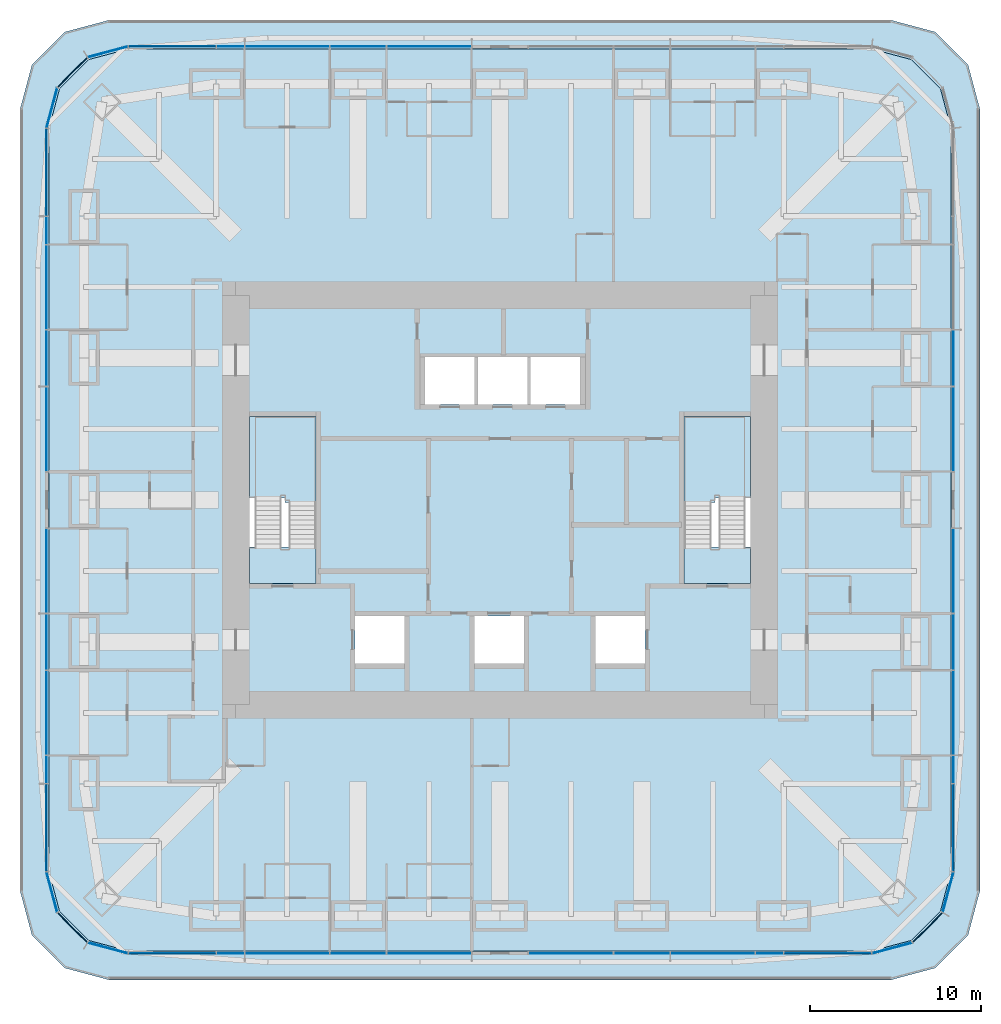
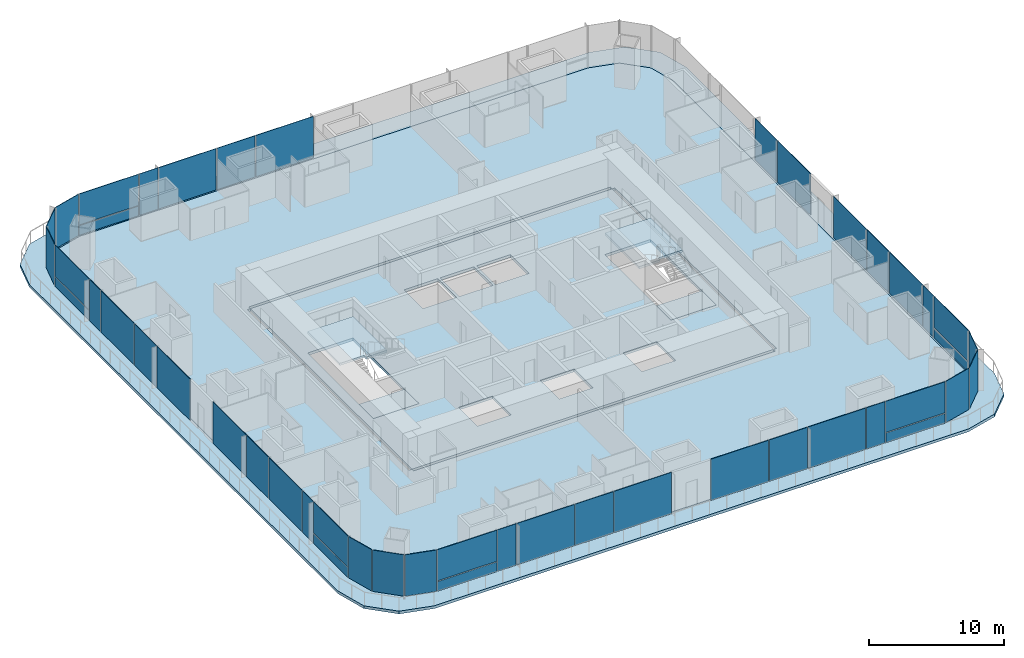
# One storey, part 7 of 15: 47 plates, 7 slabs, 9 elements without a shape of their own.
"""IFC4 building model written with IfcOpenShell, lengths in metres."""

from ifc_helpers import new_model, si_unit, direction, frame, origin, origin_2d, place, context, subcontext, project, spatial, polyline, rectangle, outline, extrude, material, layer, layer_set, type_object, element, aggregate, save


model = new_model("IFC4")

# Units and contexts
model_context = context("Model", 3, precision=1e-05, world=origin(), true_north=direction((0.0, 1.0)))
body_context = subcontext(model_context, "Body", "Model", "MODEL_VIEW")
ifc_project = project(units=[si_unit("LENGTHUNIT", "METRE"), si_unit("AREAUNIT", "SQUARE_METRE"), si_unit("VOLUMEUNIT", "CUBIC_METRE"), si_unit("PLANEANGLEUNIT", "RADIAN"), si_unit("MASSUNIT", "GRAM", prefix="KILO")], contexts=[model_context])

# Site, building, storey
site_placement = place(None, origin())
site = spatial("IfcSite", under=ifc_project, at=site_placement, CompositionType="ELEMENT")
building_placement = place(site_placement, origin())
building = spatial("IfcBuilding", under=site, at=building_placement, Name="Khuree Lantern Residences", CompositionType="ELEMENT")
storey_placement = place(building_placement, frame((0.0, 0.0, 199.5)))
storey = spatial("IfcBuildingStorey", under=building, at=storey_placement, Name="L49", CompositionType="ELEMENT", Elevation=199.5)

# Slab
ifc_material_1 = material(Name="Concrete C35/45", Category="concrete")
ifc_layer_1 = layer(ifc_material_1, 0.25)
ifc_layer_set_1 = layer_set([ifc_layer_1], Name="CFL250 CORE FLOOR SLAB 250")
slab_type_1 = type_object("IfcSlabType", Name="CFL250 CORE FLOOR SLAB 250", PredefinedType="FLOOR", material=ifc_layer_set_1)
slab_1_placement = place(storey_placement, frame((0.0, 0.0, -0.25)))
element("IfcSlab", 1, at=slab_1_placement, inside=storey, type_object=slab_type_1, Name="Core floor L49", PredefinedType="FLOOR", context=body_context, shape_type="SweptSolid", body=[
    extrude(outline(polyline([(-15.5, -12.0), (-15.5, 12.0), (15.5, 12.0), (15.5, -12.0), (-15.5, -12.0)]), holes=[polyline([(10.800048828125, 4.89990234375), (10.800048828125, -4.89990234375), (14.699951171875, -4.89990234375), (14.699951171875, 4.89990234375), (10.800048828125, 4.89990234375)]), polyline([(5.60009765625, -6.800048828125), (5.60009765625, -9.60009765625), (8.5, -9.60009765625), (8.5, -6.800048828125), (5.60009765625, -6.800048828125)]), polyline([(1.800048828125, 8.39990234375), (1.800048828125, 5.60009765625), (4.699951171875, 5.60009765625), (4.699951171875, 8.39990234375), (1.800048828125, 8.39990234375)]), polyline([(-1.300048828125, 8.39990234375), (-1.300048828125, 5.60009765625), (1.60009765625, 5.60009765625), (1.60009765625, 8.39990234375), (-1.300048828125, 8.39990234375)]), polyline([(-1.5, -6.800048828125), (-1.5, -9.60009765625), (1.39990234375, -9.60009765625), (1.39990234375, -6.800048828125), (-1.5, -6.800048828125)]), polyline([(-4.39990234375, 8.39990234375), (-4.39990234375, 5.60009765625), (-1.5, 5.60009765625), (-1.5, 8.39990234375), (-4.39990234375, 8.39990234375)]), polyline([(-8.5, -6.800048828125), (-8.5, -9.60009765625), (-5.60009765625, -9.60009765625), (-5.60009765625, -6.800048828125), (-8.5, -6.800048828125)]), polyline([(-14.699951171875, 4.89990234375), (-14.699951171875, -4.89990234375), (-10.800048828125, -4.89990234375), (-10.800048828125, 4.89990234375), (-14.699951171875, 4.89990234375)])]), origin(), (0.0, 0.0, 1.0), 0.25),
])

# Curtain wall, plates
ifc_material_2 = material(Name="Bronze anodised aluminium", Category="aluminium")
curtain_wall_type_1 = type_object("IfcCurtainWallType", Name="CW-T2 TOWER CORNER CURTAIN WALL", PredefinedType="USERDEFINED", material=ifc_material_2)
curtain_wall_1_placement = place(storey_placement, origin())
curtain_wall_1 = element("IfcCurtainWall", 2, at=curtain_wall_1_placement, inside=storey, type_object=curtain_wall_type_1, Name="L49 SOUTH-EAST CORNER CURTAIN WALL", ObjectType="Faceted corner curtain wall", PredefinedType="USERDEFINED")
ifc_material_3 = material(Name="Bronze tinted triple glazing", Category="glass")
ifc_layer_2 = layer(ifc_material_3, 0.048095703125)
ifc_layer_set_2 = layer_set([ifc_layer_2], Name="FACET PANEL P4")
plate_type_1 = type_object("IfcPlateType", Name="FACET PANEL P4", PredefinedType="CURTAIN_PANEL", material=ifc_layer_set_2)
plate_1_placement = place(storey_placement, frame((22.998046875, -26.279052734375, 0.0), z_axis=(0.0, 0.0, 1.0), x_axis=(0.965925832509, 0.258819021888, 0.0)))
plate_1 = element("IfcPlate", 3, at=plate_1_placement, type_object=plate_type_1, Name="L49 SOUTH-EAST CORNER PANEL 1.1", PredefinedType="CURTAIN_PANEL", context=body_context, shape_type="SweptSolid", body=[
    extrude(rectangle(XDim=2.40869140625, YDim=0.048095703125, at=origin_2d()), origin(), (0.0, 0.0, 1.0), 3.75),
])
plate_2_placement = place(storey_placement, frame((25.078369140625, -25.078369140625, 0.0), z_axis=(0.0, 0.0, 1.0), x_axis=(0.707106781187, 0.707106781187, 0.0)))
plate_2 = element("IfcPlate", 4, at=plate_2_placement, type_object=plate_type_1, Name="L49 SOUTH-EAST CORNER PANEL 2.1", PredefinedType="CURTAIN_PANEL", context=body_context, shape_type="SweptSolid", body=[
    extrude(rectangle(XDim=2.404541015625, YDim=0.048095703125, at=origin_2d()), origin(), (0.0, 0.0, 1.0), 3.75),
])
plate_3_placement = place(storey_placement, frame((26.279052734375, -22.998046875, 0.0), z_axis=(0.0, 0.0, 1.0), x_axis=(0.258819021888, 0.965925832509, 0.0)))
plate_3 = element("IfcPlate", 5, at=plate_3_placement, type_object=plate_type_1, Name="L49 SOUTH-EAST CORNER PANEL 3.1", PredefinedType="CURTAIN_PANEL", context=body_context, shape_type="SweptSolid", body=[
    extrude(rectangle(XDim=2.40869140625, YDim=0.048095703125, at=origin_2d()), origin(), (0.0, 0.0, 1.0), 3.75),
])
aggregate(curtain_wall_1, [plate_1, plate_2, plate_3])

curtain_wall_2_placement = place(storey_placement, origin())
curtain_wall_2 = element("IfcCurtainWall", 6, at=curtain_wall_2_placement, inside=storey, type_object=curtain_wall_type_1, Name="L49 NORTH-WEST CORNER CURTAIN WALL", ObjectType="Faceted corner curtain wall", PredefinedType="USERDEFINED")
plate_4_placement = place(storey_placement, frame((-22.998046875, 26.279052734375, 0.0), z_axis=(0.0, 0.0, 1.0), x_axis=(-0.965925832509, -0.258819021888, 0.0)))
plate_4 = element("IfcPlate", 7, at=plate_4_placement, type_object=plate_type_1, Name="L49 NORTH-WEST CORNER PANEL 29.1", PredefinedType="CURTAIN_PANEL", context=body_context, shape_type="SweptSolid", body=[
    extrude(rectangle(XDim=2.40869140625, YDim=0.048095703125, at=origin_2d()), origin(), (0.0, 0.0, 1.0), 3.75),
])
plate_5_placement = place(storey_placement, frame((-25.078369140625, 25.078369140625, 0.0), z_axis=(0.0, 0.0, 1.0), x_axis=(-0.707106781187, -0.707106781187, 0.0)))
plate_5 = element("IfcPlate", 8, at=plate_5_placement, type_object=plate_type_1, Name="L49 NORTH-WEST CORNER PANEL 30.1", PredefinedType="CURTAIN_PANEL", context=body_context, shape_type="SweptSolid", body=[
    extrude(rectangle(XDim=2.404541015625, YDim=0.048095703125, at=origin_2d()), origin(), (0.0, 0.0, 1.0), 3.75),
])
plate_6_placement = place(storey_placement, frame((-26.279052734375, 22.998046875, 0.0), z_axis=(0.0, 0.0, 1.0), x_axis=(-0.258819021888, -0.965925832509, 0.0)))
plate_6 = element("IfcPlate", 9, at=plate_6_placement, type_object=plate_type_1, Name="L49 NORTH-WEST CORNER PANEL 31.1", PredefinedType="CURTAIN_PANEL", context=body_context, shape_type="SweptSolid", body=[
    extrude(rectangle(XDim=2.40869140625, YDim=0.048095703125, at=origin_2d()), origin(), (0.0, 0.0, 1.0), 3.75),
])
aggregate(curtain_wall_2, [plate_4, plate_5, plate_6])

curtain_wall_3_placement = place(storey_placement, origin())
curtain_wall_3 = element("IfcCurtainWall", 10, at=curtain_wall_3_placement, inside=storey, type_object=curtain_wall_type_1, Name="L49 SOUTH-WEST CORNER CURTAIN WALL", ObjectType="Faceted corner curtain wall", PredefinedType="USERDEFINED")
plate_7_placement = place(storey_placement, frame((-26.279052734375, -22.998046875, 0.0), z_axis=(0.0, 0.0, 1.0), x_axis=(0.258819021888, -0.965925832509, 0.0)))
plate_7 = element("IfcPlate", 11, at=plate_7_placement, type_object=plate_type_1, Name="L49 SOUTH-WEST CORNER PANEL 43.1", PredefinedType="CURTAIN_PANEL", context=body_context, shape_type="SweptSolid", body=[
    extrude(rectangle(XDim=2.40869140625, YDim=0.048095703125, at=origin_2d()), origin(), (0.0, 0.0, 1.0), 3.75),
])
plate_8_placement = place(storey_placement, frame((-25.078369140625, -25.078369140625, 0.0), z_axis=(0.0, 0.0, 1.0), x_axis=(0.707106781187, -0.707106781187, 0.0)))
plate_8 = element("IfcPlate", 12, at=plate_8_placement, type_object=plate_type_1, Name="L49 SOUTH-WEST CORNER PANEL 44.1", PredefinedType="CURTAIN_PANEL", context=body_context, shape_type="SweptSolid", body=[
    extrude(rectangle(XDim=2.404541015625, YDim=0.048095703125, at=origin_2d()), origin(), (0.0, 0.0, 1.0), 3.75),
])
plate_9_placement = place(storey_placement, frame((-22.998046875, -26.279052734375, 0.0), z_axis=(0.0, 0.0, 1.0), x_axis=(0.965925832509, -0.258819021888, 0.0)))
plate_9 = element("IfcPlate", 13, at=plate_9_placement, type_object=plate_type_1, Name="L49 SOUTH-WEST CORNER PANEL 45.1", PredefinedType="CURTAIN_PANEL", context=body_context, shape_type="SweptSolid", body=[
    extrude(rectangle(XDim=2.40869140625, YDim=0.048095703125, at=origin_2d()), origin(), (0.0, 0.0, 1.0), 3.75),
])
aggregate(curtain_wall_3, [plate_7, plate_8, plate_9])

curtain_wall_type_2 = type_object("IfcCurtainWallType", Name="CW-T1 TOWER FACE CURTAIN WALL", PredefinedType="USERDEFINED", material=ifc_material_2)
curtain_wall_4_placement = place(storey_placement, origin())
curtain_wall_4 = element("IfcCurtainWall", 14, at=curtain_wall_4_placement, inside=storey, type_object=curtain_wall_type_2, Name="L49 EAST FACE CURTAIN WALL", ObjectType="Stick-built curtain wall", PredefinedType="USERDEFINED")
ifc_material_4 = material(Name="Bronze tinted triple glazing with a ceramic-fritted spandrel band", Category="glass")
ifc_layer_3 = layer(ifc_material_4, 0.048095703125)
ifc_layer_set_3 = layer_set([ifc_layer_3], Name="FIXED LIGHT PANEL P11")
plate_type_2 = type_object("IfcPlateType", Name="FIXED LIGHT PANEL P11", PredefinedType="CURTAIN_PANEL", material=ifc_layer_set_3)
plate_10_placement = place(storey_placement, frame((26.60009765625, -12.47998046875, 0.0), z_axis=(0.0, 0.0, 1.0), x_axis=(0.0, 1.0, 0.0)))
plate_10 = element("IfcPlate", 15, at=plate_10_placement, type_object=plate_type_2, Name="L49 EAST FACE PANEL 6.1", PredefinedType="CURTAIN_PANEL", context=body_context, shape_type="SweptSolid", body=[
    extrude(rectangle(XDim=4.927001953125, YDim=0.048095703125, at=origin_2d()), origin(), (0.0, 0.0, 1.0), 3.75),
])
plate_11_placement = place(storey_placement, frame((26.60009765625, -4.159912109375, 0.0), z_axis=(0.0, 0.0, 1.0), x_axis=(0.0, 1.0, 0.0)))
plate_11 = element("IfcPlate", 16, at=plate_11_placement, type_object=plate_type_2, Name="L49 EAST FACE PANEL 8.1", PredefinedType="CURTAIN_PANEL", context=body_context, shape_type="SweptSolid", body=[
    extrude(rectangle(XDim=4.927001953125, YDim=0.048095703125, at=origin_2d()), origin(), (0.0, 0.0, 1.0), 3.75),
])
plate_12_placement = place(storey_placement, frame((26.60009765625, 4.159912109375, 0.0), z_axis=(0.0, 0.0, 1.0), x_axis=(0.0, 1.0, 0.0)))
plate_12 = element("IfcPlate", 17, at=plate_12_placement, type_object=plate_type_2, Name="L49 EAST FACE PANEL 10.1", PredefinedType="CURTAIN_PANEL", context=body_context, shape_type="SweptSolid", body=[
    extrude(rectangle(XDim=4.927001953125, YDim=0.048095703125, at=origin_2d()), origin(), (0.0, 0.0, 1.0), 3.75),
])

curtain_wall_5_placement = place(storey_placement, origin())
curtain_wall_5 = element("IfcCurtainWall", 18, at=curtain_wall_5_placement, inside=storey, type_object=curtain_wall_type_2, Name="L49 NORTH FACE CURTAIN WALL", ObjectType="Stick-built curtain wall", PredefinedType="USERDEFINED")
plate_13_placement = place(storey_placement, frame((-4.159912109375, 26.60009765625, 0.0), z_axis=(0.0, 0.0, 1.0), x_axis=(-1.0, 0.0, 0.0)))
plate_13 = element("IfcPlate", 19, at=plate_13_placement, type_object=plate_type_2, Name="L49 NORTH FACE PANEL 24.1", PredefinedType="CURTAIN_PANEL", context=body_context, shape_type="SweptSolid", body=[
    extrude(rectangle(XDim=4.927001953125, YDim=0.048095703125, at=origin_2d()), origin(), (0.0, 0.0, 1.0), 3.75),
])
plate_14_placement = place(storey_placement, frame((-12.47998046875, 26.60009765625, 0.0), z_axis=(0.0, 0.0, 1.0), x_axis=(-1.0, 0.0, 0.0)))
plate_14 = element("IfcPlate", 20, at=plate_14_placement, type_object=plate_type_2, Name="L49 NORTH FACE PANEL 26.1", PredefinedType="CURTAIN_PANEL", context=body_context, shape_type="SweptSolid", body=[
    extrude(rectangle(XDim=4.927001953125, YDim=0.048095703125, at=origin_2d()), origin(), (0.0, 0.0, 1.0), 3.75),
])

curtain_wall_6_placement = place(storey_placement, origin())
curtain_wall_6 = element("IfcCurtainWall", 21, at=curtain_wall_6_placement, inside=storey, type_object=curtain_wall_type_2, Name="L49 WEST FACE CURTAIN WALL", ObjectType="Stick-built curtain wall", PredefinedType="USERDEFINED")
plate_15_placement = place(storey_placement, frame((-26.60009765625, 12.47998046875, 0.0), z_axis=(0.0, 0.0, 1.0), x_axis=(0.0, -1.0, 0.0)))
plate_15 = element("IfcPlate", 22, at=plate_15_placement, type_object=plate_type_2, Name="L49 WEST FACE PANEL 34.1", PredefinedType="CURTAIN_PANEL", context=body_context, shape_type="SweptSolid", body=[
    extrude(rectangle(XDim=4.927001953125, YDim=0.048095703125, at=origin_2d()), origin(), (0.0, 0.0, 1.0), 3.75),
])
plate_16_placement = place(storey_placement, frame((-26.60009765625, 4.159912109375, 0.0), z_axis=(0.0, 0.0, 1.0), x_axis=(0.0, -1.0, 0.0)))
plate_16 = element("IfcPlate", 23, at=plate_16_placement, type_object=plate_type_2, Name="L49 WEST FACE PANEL 36.1", PredefinedType="CURTAIN_PANEL", context=body_context, shape_type="SweptSolid", body=[
    extrude(rectangle(XDim=4.927001953125, YDim=0.048095703125, at=origin_2d()), origin(), (0.0, 0.0, 1.0), 3.75),
])
plate_17_placement = place(storey_placement, frame((-26.60009765625, -4.159912109375, 0.0), z_axis=(0.0, 0.0, 1.0), x_axis=(0.0, -1.0, 0.0)))
plate_17 = element("IfcPlate", 24, at=plate_17_placement, type_object=plate_type_2, Name="L49 WEST FACE PANEL 38.1", PredefinedType="CURTAIN_PANEL", context=body_context, shape_type="SweptSolid", body=[
    extrude(rectangle(XDim=4.927001953125, YDim=0.048095703125, at=origin_2d()), origin(), (0.0, 0.0, 1.0), 3.75),
])
plate_18_placement = place(storey_placement, frame((-26.60009765625, -12.47998046875, 0.0), z_axis=(0.0, 0.0, 1.0), x_axis=(0.0, -1.0, 0.0)))
plate_18 = element("IfcPlate", 25, at=plate_18_placement, type_object=plate_type_2, Name="L49 WEST FACE PANEL 40.1", PredefinedType="CURTAIN_PANEL", context=body_context, shape_type="SweptSolid", body=[
    extrude(rectangle(XDim=4.927001953125, YDim=0.048095703125, at=origin_2d()), origin(), (0.0, 0.0, 1.0), 3.75),
])

curtain_wall_7_placement = place(storey_placement, origin())
curtain_wall_7 = element("IfcCurtainWall", 26, at=curtain_wall_7_placement, inside=storey, type_object=curtain_wall_type_2, Name="L49 SOUTH FACE CURTAIN WALL", ObjectType="Stick-built curtain wall", PredefinedType="USERDEFINED")
plate_19_placement = place(storey_placement, frame((-12.47998046875, -26.60009765625, 0.0), z_axis=(0.0, 0.0, 1.0), x_axis=(1.0, 0.0, 0.0)))
plate_19 = element("IfcPlate", 27, at=plate_19_placement, type_object=plate_type_2, Name="L49 SOUTH FACE PANEL 48.1", PredefinedType="CURTAIN_PANEL", context=body_context, shape_type="SweptSolid", body=[
    extrude(rectangle(XDim=4.927001953125, YDim=0.048095703125, at=origin_2d()), origin(), (0.0, 0.0, 1.0), 3.75),
])
plate_20_placement = place(storey_placement, frame((-4.159912109375, -26.60009765625, 0.0), z_axis=(0.0, 0.0, 1.0), x_axis=(1.0, 0.0, 0.0)))
plate_20 = element("IfcPlate", 28, at=plate_20_placement, type_object=plate_type_2, Name="L49 SOUTH FACE PANEL 50.1", PredefinedType="CURTAIN_PANEL", context=body_context, shape_type="SweptSolid", body=[
    extrude(rectangle(XDim=4.927001953125, YDim=0.048095703125, at=origin_2d()), origin(), (0.0, 0.0, 1.0), 3.75),
])
plate_21_placement = place(storey_placement, frame((4.159912109375, -26.60009765625, 0.0), z_axis=(0.0, 0.0, 1.0), x_axis=(1.0, 0.0, 0.0)))
plate_21 = element("IfcPlate", 29, at=plate_21_placement, type_object=plate_type_2, Name="L49 SOUTH FACE PANEL 52.1", PredefinedType="CURTAIN_PANEL", context=body_context, shape_type="SweptSolid", body=[
    extrude(rectangle(XDim=4.927001953125, YDim=0.048095703125, at=origin_2d()), origin(), (0.0, 0.0, 1.0), 3.75),
])
plate_22_placement = place(storey_placement, frame((12.47998046875, -26.60009765625, 0.0), z_axis=(0.0, 0.0, 1.0), x_axis=(1.0, 0.0, 0.0)))
plate_22 = element("IfcPlate", 30, at=plate_22_placement, type_object=plate_type_2, Name="L49 SOUTH FACE PANEL 54.1", PredefinedType="CURTAIN_PANEL", context=body_context, shape_type="SweptSolid", body=[
    extrude(rectangle(XDim=4.927001953125, YDim=0.048095703125, at=origin_2d()), origin(), (0.0, 0.0, 1.0), 3.75),
])

# Slab
ifc_layer_4 = layer(ifc_material_1, 0.25)
ifc_layer_set_4 = layer_set([ifc_layer_4], Name="FS250 FLOOR SLAB 250")
slab_type_2 = type_object("IfcSlabType", Name="FS250 FLOOR SLAB 250", PredefinedType="FLOOR", material=ifc_layer_set_4)
slab_2_placement = place(storey_placement, frame((0.0, 0.0, -0.25)))
element("IfcSlab", 31, at=slab_2_placement, inside=storey, type_object=slab_type_2, Name="Floor slab L49", PredefinedType="FLOOR", context=body_context, shape_type="SweptSolid", body=[
    extrude(outline(polyline([(-24.125, -25.826904296875), (-25.826904296875, -24.125), (-26.449951171875, -21.800048828125), (-26.449951171875, 21.800048828125), (-25.826904296875, 24.125), (-24.125, 25.826904296875), (-21.800048828125, 26.449951171875), (21.800048828125, 26.449951171875), (24.125, 25.826904296875), (25.826904296875, 24.125), (26.449951171875, 21.800048828125), (26.449951171875, -21.800048828125), (25.826904296875, -24.125), (24.125, -25.826904296875), (21.800048828125, -26.449951171875), (-21.800048828125, -26.449951171875), (-24.125, -25.826904296875)]), holes=[polyline([(15.75, 12.0), (15.5, 12.0), (15.5, 12.25), (-15.5, 12.25), (-15.5, 12.0), (-15.75, 12.0), (-15.75, -12.0), (-15.5, -12.0), (-15.5, -12.25), (15.5, -12.25), (15.5, -12.0), (15.75, -12.0), (15.75, 12.0)])]), origin(), (0.0, 0.0, 1.0), 0.25),
])

# Plate
ifc_material_5 = material(Name="Bronze tinted triple glazing, two aluminium-framed sashes in one frame", Category="aluminium")
ifc_layer_5 = layer(ifc_material_5, 0.048095703125)
ifc_layer_set_5 = layer_set([ifc_layer_5], Name="SASH PAIR PANEL P12")
plate_type_3 = type_object("IfcPlateType", Name="SASH PAIR PANEL P12", PredefinedType="CURTAIN_PANEL", material=ifc_layer_set_5)
plate_23_placement = place(storey_placement, frame((26.60009765625, -8.320068359375, 0.0), z_axis=(0.0, 0.0, 1.0), x_axis=(0.0, 1.0, 0.0)))
plate_23 = element("IfcPlate", 32, at=plate_23_placement, type_object=plate_type_3, Name="L49 EAST FACE PANEL 7.1", PredefinedType="CURTAIN_PANEL", context=body_context, shape_type="SweptSolid", body=[
    extrude(rectangle(XDim=3.262939453125, YDim=0.048095703125, at=origin_2d()), origin(), (0.0, 0.0, 1.0), 3.75),
])

plate_24_placement = place(storey_placement, frame((26.60009765625, 8.320068359375, 0.0), z_axis=(0.0, 0.0, 1.0), x_axis=(0.0, 1.0, 0.0)))
plate_24 = element("IfcPlate", 33, at=plate_24_placement, type_object=plate_type_3, Name="L49 EAST FACE PANEL 11.1", PredefinedType="CURTAIN_PANEL", context=body_context, shape_type="SweptSolid", body=[
    extrude(rectangle(XDim=3.262939453125, YDim=0.048095703125, at=origin_2d()), origin(), (0.0, 0.0, 1.0), 3.75),
])

plate_25_placement = place(storey_placement, frame((-8.320068359375, 26.60009765625, 0.0), z_axis=(0.0, 0.0, 1.0), x_axis=(-1.0, 0.0, 0.0)))
plate_25 = element("IfcPlate", 34, at=plate_25_placement, type_object=plate_type_3, Name="L49 NORTH FACE PANEL 25.1", PredefinedType="CURTAIN_PANEL", context=body_context, shape_type="SweptSolid", body=[
    extrude(rectangle(XDim=3.262939453125, YDim=0.048095703125, at=origin_2d()), origin(), (0.0, 0.0, 1.0), 3.75),
])

plate_26_placement = place(storey_placement, frame((-26.60009765625, 8.320068359375, 0.0), z_axis=(0.0, 0.0, 1.0), x_axis=(0.0, -1.0, 0.0)))
plate_26 = element("IfcPlate", 35, at=plate_26_placement, type_object=plate_type_3, Name="L49 WEST FACE PANEL 35.1", PredefinedType="CURTAIN_PANEL", context=body_context, shape_type="SweptSolid", body=[
    extrude(rectangle(XDim=3.262939453125, YDim=0.048095703125, at=origin_2d()), origin(), (0.0, 0.0, 1.0), 3.75),
])

plate_27_placement = place(storey_placement, frame((-26.60009765625, -8.320068359375, 0.0), z_axis=(0.0, 0.0, 1.0), x_axis=(0.0, -1.0, 0.0)))
plate_27 = element("IfcPlate", 36, at=plate_27_placement, type_object=plate_type_3, Name="L49 WEST FACE PANEL 39.1", PredefinedType="CURTAIN_PANEL", context=body_context, shape_type="SweptSolid", body=[
    extrude(rectangle(XDim=3.262939453125, YDim=0.048095703125, at=origin_2d()), origin(), (0.0, 0.0, 1.0), 3.75),
])

plate_28_placement = place(storey_placement, frame((-8.320068359375, -26.60009765625, 0.0), z_axis=(0.0, 0.0, 1.0), x_axis=(1.0, 0.0, 0.0)))
plate_28 = element("IfcPlate", 37, at=plate_28_placement, type_object=plate_type_3, Name="L49 SOUTH FACE PANEL 49.1", PredefinedType="CURTAIN_PANEL", context=body_context, shape_type="SweptSolid", body=[
    extrude(rectangle(XDim=3.262939453125, YDim=0.048095703125, at=origin_2d()), origin(), (0.0, 0.0, 1.0), 3.75),
])

plate_29_placement = place(storey_placement, frame((8.320068359375, -26.60009765625, 0.0), z_axis=(0.0, 0.0, 1.0), x_axis=(1.0, 0.0, 0.0)))
plate_29 = element("IfcPlate", 38, at=plate_29_placement, type_object=plate_type_3, Name="L49 SOUTH FACE PANEL 53.1", PredefinedType="CURTAIN_PANEL", context=body_context, shape_type="SweptSolid", body=[
    extrude(rectangle(XDim=3.262939453125, YDim=0.048095703125, at=origin_2d()), origin(), (0.0, 0.0, 1.0), 3.75),
])

ifc_material_6 = material(Name="Bronze tinted triple glazing, aluminium-framed sash", Category="aluminium")
ifc_layer_6 = layer(ifc_material_6, 0.048095703125)
ifc_layer_set_6 = layer_set([ifc_layer_6], Name="SASH PANEL P3")
plate_type_4 = type_object("IfcPlateType", Name="SASH PANEL P3", PredefinedType="CURTAIN_PANEL", material=ifc_layer_set_6)
plate_30_placement = place(storey_placement, frame((26.60009765625, -15.80810546875, 0.0), z_axis=(0.0, 0.0, 1.0), x_axis=(0.0, 1.0, 0.0)))
plate_30 = element("IfcPlate", 39, at=plate_30_placement, type_object=plate_type_4, Name="L49 EAST FACE PANEL 5.1", PredefinedType="CURTAIN_PANEL", context=body_context, shape_type="SweptSolid", body=[
    extrude(rectangle(XDim=1.59912109375, YDim=0.048095703125, at=origin_2d()), origin(), (0.0, 0.0, 1.0), 3.75),
])

plate_31_placement = place(storey_placement, frame((-15.80810546875, 26.60009765625, 0.0), z_axis=(0.0, 0.0, 1.0), x_axis=(-1.0, 0.0, 0.0)))
plate_31 = element("IfcPlate", 40, at=plate_31_placement, type_object=plate_type_4, Name="L49 NORTH FACE PANEL 27.1", PredefinedType="CURTAIN_PANEL", context=body_context, shape_type="SweptSolid", body=[
    extrude(rectangle(XDim=1.59912109375, YDim=0.048095703125, at=origin_2d()), origin(), (0.0, 0.0, 1.0), 3.75),
])

plate_32_placement = place(storey_placement, frame((-26.60009765625, 15.80810546875, 0.0), z_axis=(0.0, 0.0, 1.0), x_axis=(0.0, -1.0, 0.0)))
plate_32 = element("IfcPlate", 41, at=plate_32_placement, type_object=plate_type_4, Name="L49 WEST FACE PANEL 33.1", PredefinedType="CURTAIN_PANEL", context=body_context, shape_type="SweptSolid", body=[
    extrude(rectangle(XDim=1.59912109375, YDim=0.048095703125, at=origin_2d()), origin(), (0.0, 0.0, 1.0), 3.75),
])

plate_33_placement = place(storey_placement, frame((-26.60009765625, -15.80810546875, 0.0), z_axis=(0.0, 0.0, 1.0), x_axis=(0.0, -1.0, 0.0)))
plate_33 = element("IfcPlate", 42, at=plate_33_placement, type_object=plate_type_4, Name="L49 WEST FACE PANEL 41.1", PredefinedType="CURTAIN_PANEL", context=body_context, shape_type="SweptSolid", body=[
    extrude(rectangle(XDim=1.59912109375, YDim=0.048095703125, at=origin_2d()), origin(), (0.0, 0.0, 1.0), 3.75),
])

plate_34_placement = place(storey_placement, frame((-15.80810546875, -26.60009765625, 0.0), z_axis=(0.0, 0.0, 1.0), x_axis=(1.0, 0.0, 0.0)))
plate_34 = element("IfcPlate", 43, at=plate_34_placement, type_object=plate_type_4, Name="L49 SOUTH FACE PANEL 47.1", PredefinedType="CURTAIN_PANEL", context=body_context, shape_type="SweptSolid", body=[
    extrude(rectangle(XDim=1.59912109375, YDim=0.048095703125, at=origin_2d()), origin(), (0.0, 0.0, 1.0), 3.75),
])

plate_35_placement = place(storey_placement, frame((15.80810546875, -26.60009765625, 0.0), z_axis=(0.0, 0.0, 1.0), x_axis=(1.0, 0.0, 0.0)))
plate_35 = element("IfcPlate", 44, at=plate_35_placement, type_object=plate_type_4, Name="L49 SOUTH FACE PANEL 55.1", PredefinedType="CURTAIN_PANEL", context=body_context, shape_type="SweptSolid", body=[
    extrude(rectangle(XDim=1.59912109375, YDim=0.048095703125, at=origin_2d()), origin(), (0.0, 0.0, 1.0), 3.75),
])

ifc_material_7 = material(Name="Bronze anodised aluminium insulated spandrel", Category="aluminium")
ifc_layer_7 = layer(ifc_material_7, 0.06005859375)
ifc_layer_set_7 = layer_set([ifc_layer_7], Name="SPANDREL PANEL P2")
plate_type_5 = type_object("IfcPlateType", Name="SPANDREL PANEL P2", PredefinedType="CURTAIN_PANEL", material=ifc_layer_set_7)
plate_36_placement = place(storey_placement, frame((26.60009765625, -19.2177734375, 0.0), z_axis=(0.0, 0.0, 1.0), x_axis=(0.0, 1.0, 0.0)))
plate_36 = element("IfcPlate", 45, at=plate_36_placement, type_object=plate_type_5, Name="L49 EAST FACE PANEL 4.1", PredefinedType="CURTAIN_PANEL", context=body_context, shape_type="SweptSolid", body=[
    extrude(rectangle(XDim=5.0908203125, YDim=0.06005859375, at=origin_2d()), origin(), (0.0, 0.0, 1.0), 0.867431640625),
])

plate_37_placement = place(storey_placement, frame((-19.2177734375, 26.60009765625, 0.0), z_axis=(0.0, 0.0, 1.0), x_axis=(-1.0, 0.0, 0.0)))
plate_37 = element("IfcPlate", 46, at=plate_37_placement, type_object=plate_type_5, Name="L49 NORTH FACE PANEL 28.1", PredefinedType="CURTAIN_PANEL", context=body_context, shape_type="SweptSolid", body=[
    extrude(rectangle(XDim=5.0908203125, YDim=0.06005859375, at=origin_2d()), origin(), (0.0, 0.0, 1.0), 0.867431640625),
])

plate_38_placement = place(storey_placement, frame((-26.60009765625, 19.2177734375, 0.0), z_axis=(0.0, 0.0, 1.0), x_axis=(0.0, -1.0, 0.0)))
plate_38 = element("IfcPlate", 47, at=plate_38_placement, type_object=plate_type_5, Name="L49 WEST FACE PANEL 32.1", PredefinedType="CURTAIN_PANEL", context=body_context, shape_type="SweptSolid", body=[
    extrude(rectangle(XDim=5.0908203125, YDim=0.06005859375, at=origin_2d()), origin(), (0.0, 0.0, 1.0), 0.867431640625),
])

plate_39_placement = place(storey_placement, frame((-26.60009765625, -19.2177734375, 0.0), z_axis=(0.0, 0.0, 1.0), x_axis=(0.0, -1.0, 0.0)))
plate_39 = element("IfcPlate", 48, at=plate_39_placement, type_object=plate_type_5, Name="L49 WEST FACE PANEL 42.1", PredefinedType="CURTAIN_PANEL", context=body_context, shape_type="SweptSolid", body=[
    extrude(rectangle(XDim=5.0908203125, YDim=0.06005859375, at=origin_2d()), origin(), (0.0, 0.0, 1.0), 0.867431640625),
])

plate_40_placement = place(storey_placement, frame((-19.2177734375, -26.60009765625, 0.0), z_axis=(0.0, 0.0, 1.0), x_axis=(1.0, 0.0, 0.0)))
plate_40 = element("IfcPlate", 49, at=plate_40_placement, type_object=plate_type_5, Name="L49 SOUTH FACE PANEL 46.1", PredefinedType="CURTAIN_PANEL", context=body_context, shape_type="SweptSolid", body=[
    extrude(rectangle(XDim=5.0908203125, YDim=0.06005859375, at=origin_2d()), origin(), (0.0, 0.0, 1.0), 0.867431640625),
])

plate_41_placement = place(storey_placement, frame((19.2177734375, -26.60009765625, 0.0), z_axis=(0.0, 0.0, 1.0), x_axis=(1.0, 0.0, 0.0)))
plate_41 = element("IfcPlate", 50, at=plate_41_placement, type_object=plate_type_5, Name="L49 SOUTH FACE PANEL 56.1", PredefinedType="CURTAIN_PANEL", context=body_context, shape_type="SweptSolid", body=[
    extrude(rectangle(XDim=5.0908203125, YDim=0.06005859375, at=origin_2d()), origin(), (0.0, 0.0, 1.0), 0.867431640625),
])

# Stair, slabs
ifc_material_8 = material(Name="Concrete C40/50", Category="concrete")
stair_type = type_object("IfcStairType", Name="STAIR ST1 HALF TURN 3600", PredefinedType="HALF_TURN_STAIR", material=ifc_material_8)
stair_1_placement = place(storey_placement, origin())
stair_1 = element("IfcStair", 51, at=stair_1_placement, inside=storey, type_object=stair_type, Name="Stair ST1", PredefinedType="HALF_TURN_STAIR")
ifc_layer_8 = layer(ifc_material_8, 0.199951171875)
ifc_layer_set_8 = layer_set([ifc_layer_8], Name="STAIR LANDING SL1 200")
slab_type_3 = type_object("IfcSlabType", Name="STAIR LANDING SL1 200", PredefinedType="LANDING", material=ifc_layer_set_8)
slab_3_placement = place(storey_placement, frame((0.0, 0.0, -0.199951171875)))
slab_3 = element("IfcSlab", 52, at=slab_3_placement, type_object=slab_type_3, Name="ST1 landing 1", PredefinedType="LANDING", context=body_context, shape_type="SweptSolid", body=[
    extrude(outline(polyline([(-14.699951171875, -4.89990234375), (-10.800048828125, -4.89990234375), (-10.800048828125, -2.760009765625), (-14.699951171875, -2.760009765625), (-14.699951171875, -4.89990234375)])), origin(), (0.0, 0.0, 1.0), 0.199951171875),
])
slab_4_placement = place(storey_placement, frame((0.0, 0.0, 1.756591796875)))
slab_4 = element("IfcSlab", 53, at=slab_4_placement, type_object=slab_type_3, Name="ST1 landing 2", PredefinedType="LANDING", context=body_context, shape_type="SweptSolid", body=[
    extrude(outline(polyline([(-14.699951171875, 0.1201171875), (-14.699951171875, 4.89990234375), (-10.800048828125, 4.89990234375), (-10.800048828125, -0.159912109375), (-12.60009765625, -0.159912109375), (-12.60009765625, 0.1201171875), (-14.699951171875, 0.1201171875)])), origin(), (0.0, 0.0, 1.0), 0.199951171875),
])
aggregate(stair_1, [slab_3, slab_4])

stair_2_placement = place(storey_placement, origin())
stair_2 = element("IfcStair", 54, at=stair_2_placement, inside=storey, type_object=stair_type, Name="Stair ST2", PredefinedType="HALF_TURN_STAIR")
slab_5_placement = place(storey_placement, frame((0.0, 0.0, -0.199951171875)))
slab_5 = element("IfcSlab", 55, at=slab_5_placement, type_object=slab_type_3, Name="ST2 landing 1", PredefinedType="LANDING", context=body_context, shape_type="SweptSolid", body=[
    extrude(outline(polyline([(10.800048828125, -4.89990234375), (14.699951171875, -4.89990234375), (14.699951171875, -2.760009765625), (10.800048828125, -2.760009765625), (10.800048828125, -4.89990234375)])), origin(), (0.0, 0.0, 1.0), 0.199951171875),
])
slab_6_placement = place(storey_placement, frame((0.0, 0.0, 1.756591796875)))
slab_6 = element("IfcSlab", 56, at=slab_6_placement, type_object=slab_type_3, Name="ST2 landing 2", PredefinedType="LANDING", context=body_context, shape_type="SweptSolid", body=[
    extrude(outline(polyline([(14.699951171875, 4.89990234375), (14.699951171875, 0.1201171875), (12.60009765625, 0.1201171875), (12.60009765625, -0.159912109375), (10.800048828125, -0.159912109375), (10.800048828125, 4.89990234375), (14.699951171875, 4.89990234375)])), origin(), (0.0, 0.0, 1.0), 0.199951171875),
])
aggregate(stair_2, [slab_5, slab_6])

# Slab
ifc_layer_9 = layer(ifc_material_1, 0.25)
ifc_layer_set_9 = layer_set([ifc_layer_9], Name="TS250 TERRACE SLAB 250")
slab_type_4 = type_object("IfcSlabType", Name="TS250 TERRACE SLAB 250", PredefinedType="FLOOR", material=ifc_layer_set_9)
slab_7_placement = place(storey_placement, frame((0.0, 0.0, -0.25)))
element("IfcSlab", 57, at=slab_7_placement, inside=storey, type_object=slab_type_4, Name="Terrace L49", PredefinedType="FLOOR", context=body_context, shape_type="SweptSolid", body=[
    extrude(outline(polyline([(-25.52490234375, -27.446533203125), (-27.446533203125, -25.52490234375), (-28.14990234375, -22.89990234375), (-28.14990234375, 22.89990234375), (-27.446533203125, 25.52490234375), (-25.52490234375, 27.446533203125), (-22.89990234375, 28.14990234375), (22.89990234375, 28.14990234375), (25.52490234375, 27.446533203125), (27.446533203125, 25.52490234375), (28.14990234375, 22.89990234375), (28.14990234375, -22.89990234375), (27.446533203125, -25.52490234375), (25.52490234375, -27.446533203125), (22.89990234375, -28.14990234375), (-22.89990234375, -28.14990234375), (-25.52490234375, -27.446533203125)]), holes=[polyline([(25.826904296875, -24.125), (26.449951171875, -21.800048828125), (26.449951171875, 21.800048828125), (25.826904296875, 24.125), (24.125, 25.826904296875), (21.800048828125, 26.449951171875), (-21.800048828125, 26.449951171875), (-24.125, 25.826904296875), (-25.826904296875, 24.125), (-26.449951171875, 21.800048828125), (-26.449951171875, -21.800048828125), (-25.826904296875, -24.125), (-24.125, -25.826904296875), (-21.800048828125, -26.449951171875), (21.800048828125, -26.449951171875), (24.125, -25.826904296875), (25.826904296875, -24.125)])]), origin(), (0.0, 0.0, 1.0), 0.25),
])

# Plate
ifc_layer_10 = layer(ifc_material_3, 0.048095703125)
ifc_layer_set_10 = layer_set([ifc_layer_10], Name="VISION PANEL P1")
plate_type_6 = type_object("IfcPlateType", Name="VISION PANEL P1", PredefinedType="CURTAIN_PANEL", material=ifc_layer_set_10)
plate_42_placement = place(storey_placement, frame((26.60009765625, -19.21826171875, 0.9326171875), z_axis=(0.0, 0.0, 1.0), x_axis=(0.0, 1.0, 0.0)))
plate_42 = element("IfcPlate", 58, at=plate_42_placement, type_object=plate_type_6, Name="L49 EAST FACE PANEL 4.2", PredefinedType="CURTAIN_PANEL", context=body_context, shape_type="SweptSolid", body=[
    extrude(rectangle(XDim=5.091552734375, YDim=0.048095703125, at=origin_2d()), origin(), (0.0, 0.0, 1.0), 2.8173828125),
])

aggregate(curtain_wall_4, [plate_36, plate_42, plate_30, plate_10, plate_23, plate_11, plate_12, plate_24])

plate_43_placement = place(storey_placement, frame((-19.21826171875, 26.60009765625, 0.9326171875), z_axis=(0.0, 0.0, 1.0), x_axis=(-1.0, 0.0, 0.0)))
plate_43 = element("IfcPlate", 59, at=plate_43_placement, type_object=plate_type_6, Name="L49 NORTH FACE PANEL 28.2", PredefinedType="CURTAIN_PANEL", context=body_context, shape_type="SweptSolid", body=[
    extrude(rectangle(XDim=5.091552734375, YDim=0.048095703125, at=origin_2d()), origin(), (0.0, 0.0, 1.0), 2.8173828125),
])

aggregate(curtain_wall_5, [plate_13, plate_25, plate_14, plate_31, plate_37, plate_43])

plate_44_placement = place(storey_placement, frame((-26.60009765625, 19.21826171875, 0.9326171875), z_axis=(0.0, 0.0, 1.0), x_axis=(0.0, -1.0, 0.0)))
plate_44 = element("IfcPlate", 60, at=plate_44_placement, type_object=plate_type_6, Name="L49 WEST FACE PANEL 32.2", PredefinedType="CURTAIN_PANEL", context=body_context, shape_type="SweptSolid", body=[
    extrude(rectangle(XDim=5.091552734375, YDim=0.048095703125, at=origin_2d()), origin(), (0.0, 0.0, 1.0), 2.8173828125),
])

plate_45_placement = place(storey_placement, frame((-26.60009765625, -19.21826171875, 0.9326171875), z_axis=(0.0, 0.0, 1.0), x_axis=(0.0, -1.0, 0.0)))
plate_45 = element("IfcPlate", 61, at=plate_45_placement, type_object=plate_type_6, Name="L49 WEST FACE PANEL 42.2", PredefinedType="CURTAIN_PANEL", context=body_context, shape_type="SweptSolid", body=[
    extrude(rectangle(XDim=5.091552734375, YDim=0.048095703125, at=origin_2d()), origin(), (0.0, 0.0, 1.0), 2.8173828125),
])

aggregate(curtain_wall_6, [plate_38, plate_44, plate_32, plate_15, plate_26, plate_16, plate_17, plate_27, plate_18, plate_33, plate_39, plate_45])

plate_46_placement = place(storey_placement, frame((-19.21826171875, -26.60009765625, 0.9326171875), z_axis=(0.0, 0.0, 1.0), x_axis=(1.0, 0.0, 0.0)))
plate_46 = element("IfcPlate", 62, at=plate_46_placement, type_object=plate_type_6, Name="L49 SOUTH FACE PANEL 46.2", PredefinedType="CURTAIN_PANEL", context=body_context, shape_type="SweptSolid", body=[
    extrude(rectangle(XDim=5.091552734375, YDim=0.048095703125, at=origin_2d()), origin(), (0.0, 0.0, 1.0), 2.8173828125),
])

plate_47_placement = place(storey_placement, frame((19.21826171875, -26.60009765625, 0.9326171875), z_axis=(0.0, 0.0, 1.0), x_axis=(1.0, 0.0, 0.0)))
plate_47 = element("IfcPlate", 63, at=plate_47_placement, type_object=plate_type_6, Name="L49 SOUTH FACE PANEL 56.2", PredefinedType="CURTAIN_PANEL", context=body_context, shape_type="SweptSolid", body=[
    extrude(rectangle(XDim=5.091552734375, YDim=0.048095703125, at=origin_2d()), origin(), (0.0, 0.0, 1.0), 2.8173828125),
])

aggregate(curtain_wall_7, [plate_40, plate_46, plate_34, plate_19, plate_28, plate_20, plate_21, plate_29, plate_22, plate_35, plate_41, plate_47])

save(model, "model.ifc")
